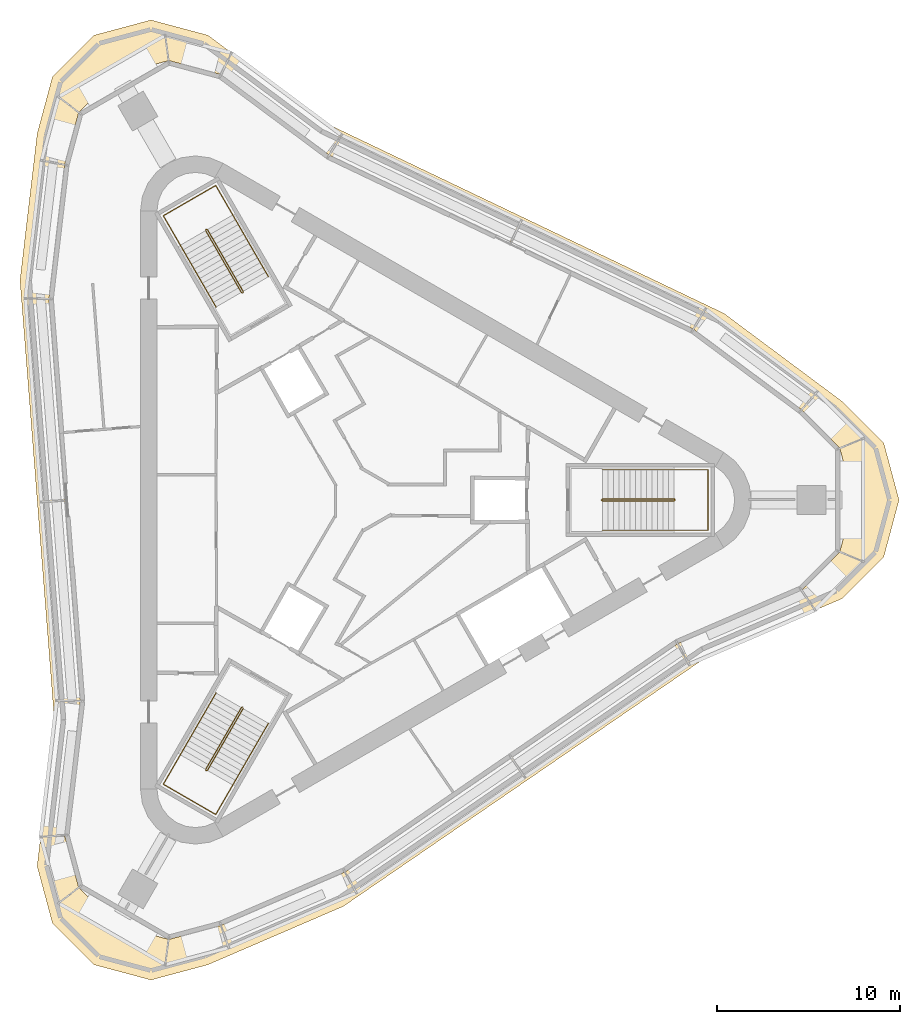
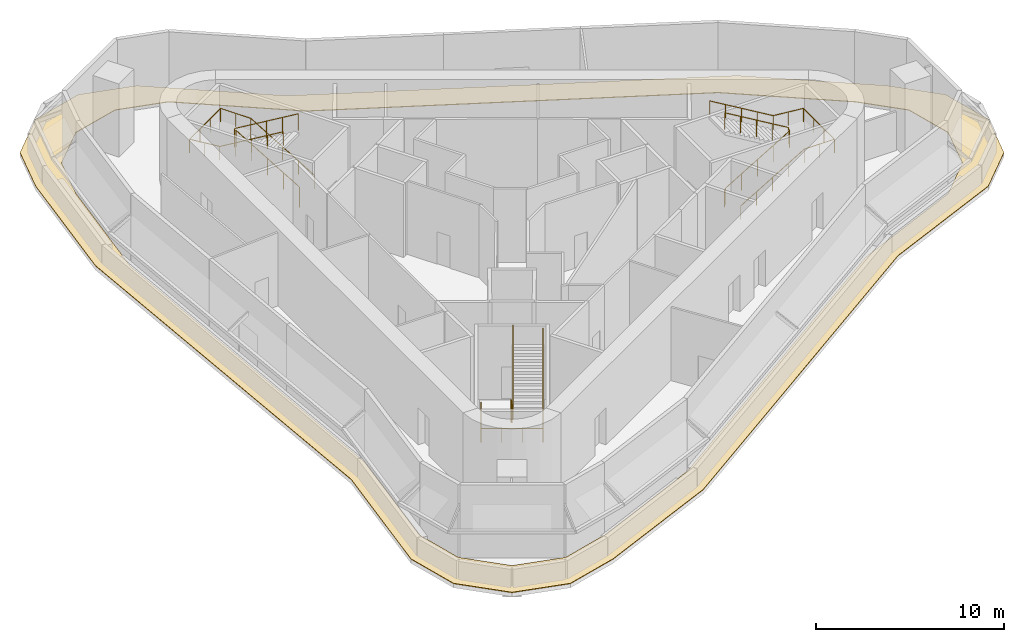
# One storey, part 7 of 7: 6 railings, 1 covering.
"""IFC4 building model written with IfcOpenShell, lengths in metres."""

from ifc_helpers import new_model, si_unit, direction, frame, origin, origin_2d, place, context, subcontext, project, spatial, polyline, circle, outline, extrude, material, layer, layer_set, type_object, element, save


model = new_model("IFC4")

# Units and contexts
model_context = context("Model", 3, precision=1e-05, world=origin(), true_north=direction((0.0, 1.0)))
body_context = subcontext(model_context, "Body", "Model", "MODEL_VIEW")
ifc_project = project(units=[si_unit("LENGTHUNIT", "METRE"), si_unit("AREAUNIT", "SQUARE_METRE"), si_unit("VOLUMEUNIT", "CUBIC_METRE"), si_unit("PLANEANGLEUNIT", "RADIAN"), si_unit("MASSUNIT", "GRAM", prefix="KILO")], contexts=[model_context])

# Site, building, storey
site_placement = place(None, origin())
site = spatial("IfcSite", under=ifc_project, at=site_placement, CompositionType="ELEMENT")
building_placement = place(site_placement, origin())
building = spatial("IfcBuilding", under=site, at=building_placement, Name="Tanit Gate Tower", CompositionType="ELEMENT")
storey_placement = place(building_placement, frame((0.0, 0.0, 420.300048828125)))
storey = spatial("IfcBuildingStorey", under=building, at=storey_placement, Name="L95", CompositionType="ELEMENT", Elevation=420.300048828125)

# Railings
ifc_material_1 = material(Name="Stainless steel balustrade", Category="steel")
railing_type_1 = type_object("IfcRailingType", Name="INT-STAIR-GUARD", PredefinedType="GUARDRAIL", material=ifc_material_1)
railing_1_placement = place(storey_placement, frame((13.044921875, 0.0048828125, 0.0)))
element("IfcRailing", 1, at=railing_1_placement, inside=storey, type_object=railing_type_1, Name="L95 S1 stair guard 1", PredefinedType="GUARDRAIL", context=body_context, shape_type="SweptSolid", body=[
    extrude(circle(Radius=0.02392578125, at=origin_2d()), frame((0.0, 0.0, 1.076171875), z_axis=(0.0, -1.0, 0.0), x_axis=(1.0, 0.0, 0.0)), (0.0, 0.0, 1.0), 0.009765625),
    extrude(circle(Radius=0.02392578125, at=origin_2d()), frame((0.0, -0.009765625, 1.076171875), z_axis=(0.260684529273, -0.260684529273, 0.929562882432), x_axis=(0.707106781187, 0.707106781187, 0.0)), (0.0, 0.0, 1.0), 0.19189453125),
    extrude(circle(Radius=0.02392578125, at=origin_2d()), frame((0.050048828125, -0.059814453125, 1.25439453125), z_axis=(0.859291195736, 0.0, 0.511486696729), x_axis=(0.0, 1.0, 0.0)), (0.0, 0.0, 1.0), 4.538818359375),
    extrude(circle(Radius=0.02392578125, at=origin_2d()), frame((3.9501953125, -0.059814453125, 3.576171875), z_axis=(0.705375805398, 0.708833529934, 0.0), x_axis=(-0.708833529934, 0.705375805398, 0.0)), (0.0, 0.0, 1.0), 0.070556640625),
    extrude(circle(Radius=0.02392578125, at=origin_2d()), frame((4.0, -0.009765625, 3.576171875), z_axis=(0.0, 1.0, 0.0), x_axis=(-1.0, 0.0, 0.0)), (0.0, 0.0, 1.0), 0.009765625),
    extrude(circle(Radius=0.02392578125, at=origin_2d()), frame((4.0, 0.0, 3.576171875), z_axis=(-0.25949872427, 0.26077077684, 0.929870428634), x_axis=(-0.708833529934, -0.705375805398, 0.0)), (0.0, 0.0, 1.0), 0.19189453125),
    extrude(circle(Radius=0.02392578125, at=origin_2d()), frame((3.9501953125, 0.050048828125, 3.75439453125), z_axis=(-0.859291195736, 0.0, 0.511486696729), x_axis=(0.0, -1.0, 0.0)), (0.0, 0.0, 1.0), 4.538818359375),
    extrude(circle(Radius=0.02099609375, at=origin_2d()), origin(), (0.0, 0.0, 1.0), 1.052001953125),
    extrude(circle(Radius=0.02099609375, at=origin_2d()), frame((0.0, -0.009765625, 0.0)), (0.0, 0.0, 1.0), 1.052001953125),
    extrude(circle(Radius=0.02099609375, at=origin_2d()), frame((0.050048828125, -0.059814453125, 0.178466796875)), (0.0, 0.0, 1.0), 1.052001953125),
    extrude(circle(Radius=0.02099609375, at=origin_2d()), frame((1.025146484375, -0.059814453125, 0.7587890625)), (0.0, 0.0, 1.0), 1.052001953125),
    extrude(circle(Radius=0.02099609375, at=origin_2d()), frame((2.0, -0.059814453125, 1.33935546875)), (0.0, 0.0, 1.0), 1.052001953125),
    extrude(circle(Radius=0.02099609375, at=origin_2d()), frame((2.97509765625, -0.059814453125, 1.919677734375)), (0.0, 0.0, 1.0), 1.052001953125),
    extrude(circle(Radius=0.02099609375, at=origin_2d()), frame((3.9501953125, -0.059814453125, 2.5)), (0.0, 0.0, 1.0), 1.052001953125),
    extrude(circle(Radius=0.02099609375, at=origin_2d()), frame((4.0, -0.009765625, 2.5)), (0.0, 0.0, 1.0), 1.052001953125),
    extrude(circle(Radius=0.02099609375, at=origin_2d()), frame((4.0, 0.0, 2.5)), (0.0, 0.0, 1.0), 1.052001953125),
    extrude(circle(Radius=0.02099609375, at=origin_2d()), frame((3.9501953125, 0.050048828125, 2.678466796875)), (0.0, 0.0, 1.0), 1.052001953125),
    extrude(circle(Radius=0.02099609375, at=origin_2d()), frame((2.97509765625, 0.050048828125, 3.2587890625)), (0.0, 0.0, 1.0), 1.052001953125),
    extrude(circle(Radius=0.02099609375, at=origin_2d()), frame((2.0, 0.050048828125, 3.83935546875)), (0.0, 0.0, 1.0), 1.052001953125),
    extrude(circle(Radius=0.02099609375, at=origin_2d()), frame((1.025146484375, 0.050048828125, 4.419677734375)), (0.0, 0.0, 1.0), 1.052001953125),
    extrude(circle(Radius=0.02099609375, at=origin_2d()), frame((0.050048828125, 0.050048828125, 5.0)), (0.0, 0.0, 1.0), 1.052001953125),
])
railing_2_placement = place(storey_placement, frame((-6.527099609375, 11.29345703125, 0.0)))
element("IfcRailing", 2, at=railing_2_placement, inside=storey, type_object=railing_type_1, Name="L95 S2 stair guard 1", PredefinedType="GUARDRAIL", context=body_context, shape_type="SweptSolid", body=[
    extrude(circle(Radius=0.02392578125, at=origin_2d()), frame((0.0, 0.0, 1.076171875), z_axis=(0.868243142124, 0.496138938357, 0.0), x_axis=(-0.496138938357, 0.868243142124, 0.0)), (0.0, 0.0, 1.0), 0.01171875),
    extrude(circle(Radius=0.02392578125, at=origin_2d()), frame((0.01025390625, 0.005859375, 1.076171875), z_axis=(0.095374316588, 0.356064115262, 0.929581672344), x_axis=(-0.965948051503, 0.258736085224, 0.0)), (0.0, 0.0, 1.0), 0.19189453125),
    extrude(circle(Radius=0.02392578125, at=origin_2d()), frame((0.028564453125, 0.07421875, 1.25439453125), z_axis=(-0.429636665928, 0.744158462057, 0.511508082673), x_axis=(-0.866027128446, -0.499997012787, 0.0)), (0.0, 0.0, 1.0), 4.53857421875),
    extrude(circle(Radius=0.02392578125, at=origin_2d()), frame((-1.92138671875, 3.45166015625, 3.576171875), z_axis=(-0.965948051503, 0.258736085224, 0.0), x_axis=(-0.258736085224, -0.965948051503, 0.0)), (0.0, 0.0, 1.0), 0.07080078125),
    extrude(circle(Radius=0.02392578125, at=origin_2d()), frame((-1.98974609375, 3.469970703125, 3.576171875), z_axis=(-0.868243142124, -0.496138938357, 0.0), x_axis=(0.496138938357, -0.868243142124, 0.0)), (0.0, 0.0, 1.0), 0.01171875),
    extrude(circle(Radius=0.02392578125, at=origin_2d()), frame((-2.0, 3.464111328125, 3.576171875), z_axis=(-0.095374316588, -0.356064115262, 0.929581672344), x_axis=(0.965948051503, -0.258736085224, 0.0)), (0.0, 0.0, 1.0), 0.19189453125),
    extrude(circle(Radius=0.02392578125, at=origin_2d()), frame((-2.018310546875, 3.395751953125, 3.75439453125), z_axis=(0.429636665928, -0.744158462057, 0.511508082673), x_axis=(0.866027128446, 0.499997012787, 0.0)), (0.0, 0.0, 1.0), 4.53857421875),
    extrude(circle(Radius=0.02099609375, at=origin_2d()), origin(), (0.0, 0.0, 1.0), 1.052001953125),
    extrude(circle(Radius=0.02099609375, at=origin_2d()), frame((0.01025390625, 0.005859375, 0.0)), (0.0, 0.0, 1.0), 1.052001953125),
    extrude(circle(Radius=0.02099609375, at=origin_2d()), frame((0.028564453125, 0.07421875, 0.178466796875)), (0.0, 0.0, 1.0), 1.052001953125),
    extrude(circle(Radius=0.02099609375, at=origin_2d()), frame((-0.458984375, 0.91845703125, 0.7587890625)), (0.0, 0.0, 1.0), 1.052001953125),
    extrude(circle(Radius=0.02099609375, at=origin_2d()), frame((-0.9462890625, 1.762939453125, 1.33935546875)), (0.0, 0.0, 1.0), 1.052001953125),
    extrude(circle(Radius=0.02099609375, at=origin_2d()), frame((-1.433837890625, 2.607421875, 1.919677734375)), (0.0, 0.0, 1.0), 1.052001953125),
    extrude(circle(Radius=0.02099609375, at=origin_2d()), frame((-1.92138671875, 3.45166015625, 2.5)), (0.0, 0.0, 1.0), 1.052001953125),
    extrude(circle(Radius=0.02099609375, at=origin_2d()), frame((-1.98974609375, 3.469970703125, 2.5)), (0.0, 0.0, 1.0), 1.052001953125),
    extrude(circle(Radius=0.02099609375, at=origin_2d()), frame((-2.0, 3.464111328125, 2.5)), (0.0, 0.0, 1.0), 1.052001953125),
    extrude(circle(Radius=0.02099609375, at=origin_2d()), frame((-2.018310546875, 3.395751953125, 2.678466796875)), (0.0, 0.0, 1.0), 1.052001953125),
    extrude(circle(Radius=0.02099609375, at=origin_2d()), frame((-1.53076171875, 2.55126953125, 3.2587890625)), (0.0, 0.0, 1.0), 1.052001953125),
    extrude(circle(Radius=0.02099609375, at=origin_2d()), frame((-1.04345703125, 1.70703125, 3.83935546875)), (0.0, 0.0, 1.0), 1.052001953125),
    extrude(circle(Radius=0.02099609375, at=origin_2d()), frame((-0.555908203125, 0.86279296875, 4.419677734375)), (0.0, 0.0, 1.0), 1.052001953125),
    extrude(circle(Radius=0.02099609375, at=origin_2d()), frame((-0.068359375, 0.018310546875, 5.0)), (0.0, 0.0, 1.0), 1.052001953125),
])
railing_3_placement = place(storey_placement, frame((-6.51806640625, -11.2998046875, 0.0)))
element("IfcRailing", 3, at=railing_3_placement, inside=storey, type_object=railing_type_1, Name="L95 S3 stair guard 1", PredefinedType="GUARDRAIL", context=body_context, shape_type="SweptSolid", body=[
    extrude(circle(Radius=0.02392578125, at=origin_2d()), frame((0.0, 0.0, 1.076171875), z_axis=(-0.874157276122, 0.485642931179, 0.0), x_axis=(-0.485642931179, -0.874157276122, 0.0)), (0.0, 0.0, 1.0), 0.010009765625),
    extrude(circle(Radius=0.02392578125, at=origin_2d()), frame((-0.0087890625, 0.0048828125, 1.076171875), z_axis=(-0.356107019809, -0.094113998092, 0.929693683858), x_axis=(0.255512919477, -0.966805641264, 0.0)), (0.0, 0.0, 1.0), 0.19189453125),
    extrude(circle(Radius=0.02392578125, at=origin_2d()), frame((-0.0771484375, -0.01318359375, 1.25439453125), z_axis=(-0.429619468083, -0.74418246412, 0.511487607612), x_axis=(0.866042777325, -0.499969906938, 0.0)), (0.0, 0.0, 1.0), 4.538818359375),
    extrude(circle(Radius=0.02392578125, at=origin_2d()), frame((-2.027099609375, -3.390869140625, 3.576171875), z_axis=(0.259601060869, -0.965715946433, 0.0), x_axis=(0.965715946433, 0.259601060869, 0.0)), (0.0, 0.0, 1.0), 0.070556640625),
    extrude(circle(Radius=0.02392578125, at=origin_2d()), frame((-2.0087890625, -3.458984375, 3.576171875), z_axis=(0.863778900898, -0.503871025524, 0.0), x_axis=(0.503871025524, 0.863778900898, 0.0)), (0.0, 0.0, 1.0), 0.01025390625),
    extrude(circle(Radius=0.02392578125, at=origin_2d()), frame((-2.0, -3.464111328125, 3.576171875), z_axis=(0.354952926692, 0.095417453412, 0.930002112587), x_axis=(-0.259601060869, 0.965715946433, 0.0)), (0.0, 0.0, 1.0), 0.19189453125),
    extrude(circle(Radius=0.02392578125, at=origin_2d()), frame((-1.931884765625, -3.44580078125, 3.75439453125), z_axis=(0.429680527064, 0.74414126332, 0.511496260873), x_axis=(-0.866000020948, 0.500043961785, 0.0)), (0.0, 0.0, 1.0), 4.538818359375),
    extrude(circle(Radius=0.02099609375, at=origin_2d()), origin(), (0.0, 0.0, 1.0), 1.052001953125),
    extrude(circle(Radius=0.02099609375, at=origin_2d()), frame((-0.0087890625, 0.0048828125, 0.0)), (0.0, 0.0, 1.0), 1.052001953125),
    extrude(circle(Radius=0.02099609375, at=origin_2d()), frame((-0.0771484375, -0.01318359375, 0.178466796875)), (0.0, 0.0, 1.0), 1.052001953125),
    extrude(circle(Radius=0.02099609375, at=origin_2d()), frame((-0.564697265625, -0.857666015625, 0.7587890625)), (0.0, 0.0, 1.0), 1.052001953125),
    extrude(circle(Radius=0.02099609375, at=origin_2d()), frame((-1.05224609375, -1.7021484375, 1.33935546875)), (0.0, 0.0, 1.0), 1.052001953125),
    extrude(circle(Radius=0.02099609375, at=origin_2d()), frame((-1.53955078125, -2.54638671875, 1.919677734375)), (0.0, 0.0, 1.0), 1.052001953125),
    extrude(circle(Radius=0.02099609375, at=origin_2d()), frame((-2.027099609375, -3.390869140625, 2.5)), (0.0, 0.0, 1.0), 1.052001953125),
    extrude(circle(Radius=0.02099609375, at=origin_2d()), frame((-2.0087890625, -3.458984375, 2.5)), (0.0, 0.0, 1.0), 1.052001953125),
    extrude(circle(Radius=0.02099609375, at=origin_2d()), frame((-2.0, -3.464111328125, 2.5)), (0.0, 0.0, 1.0), 1.052001953125),
    extrude(circle(Radius=0.02099609375, at=origin_2d()), frame((-1.931884765625, -3.44580078125, 2.678466796875)), (0.0, 0.0, 1.0), 1.052001953125),
    extrude(circle(Radius=0.02099609375, at=origin_2d()), frame((-1.4443359375, -2.6015625, 3.2587890625)), (0.0, 0.0, 1.0), 1.052001953125),
    extrude(circle(Radius=0.02099609375, at=origin_2d()), frame((-0.956787109375, -1.757080078125, 3.83935546875)), (0.0, 0.0, 1.0), 1.052001953125),
    extrude(circle(Radius=0.02099609375, at=origin_2d()), frame((-0.46923828125, -0.91259765625, 4.419677734375)), (0.0, 0.0, 1.0), 1.052001953125),
    extrude(circle(Radius=0.02099609375, at=origin_2d()), frame((0.018310546875, -0.068359375, 5.0)), (0.0, 0.0, 1.0), 1.052001953125),
])
ifc_material_2 = material(Name="Stainless steel handrail", Category="steel")
railing_type_2 = type_object("IfcRailingType", Name="INT-STAIR-HANDRAIL", PredefinedType="HANDRAIL", material=ifc_material_2)
railing_4_placement = place(storey_placement, frame((13.094970703125, -1.64990234375, 0.178466796875)))
element("IfcRailing", 4, at=railing_4_placement, inside=storey, type_object=railing_type_2, Name="L95 S1 stair handrail 1", PredefinedType="HANDRAIL", context=body_context, shape_type="SweptSolid", body=[
    extrude(circle(Radius=0.02392578125, at=origin_2d()), frame((0.0, 0.0, 0.8759765625), z_axis=(0.859291195736, 0.0, 0.511486696729), x_axis=(0.0, 1.0, 0.0)), (0.0, 0.0, 1.0), 4.538818359375),
    extrude(circle(Radius=0.02392578125, at=origin_2d()), frame((3.900146484375, 0.0, 3.197265625), z_axis=(1.0, 0.0, 0.0), x_axis=(0.0, 1.0, 0.0)), (0.0, 0.0, 1.0), 1.85498046875),
    extrude(circle(Radius=0.02392578125, at=origin_2d()), frame((5.755126953125, 0.0, 3.197265625), z_axis=(0.0, 1.0, 0.0), x_axis=(-1.0, 0.0, 0.0)), (0.0, 0.0, 1.0), 3.2998046875),
    extrude(circle(Radius=0.02392578125, at=origin_2d()), frame((5.755126953125, 3.2998046875, 3.197265625), z_axis=(-0.995403746914, 0.0, 0.09576732548), x_axis=(0.0, -1.0, 0.0)), (0.0, 0.0, 1.0), 1.863525390625),
    extrude(circle(Radius=0.02392578125, at=origin_2d()), frame((3.900146484375, 3.2998046875, 3.3759765625), z_axis=(-0.859291195736, 0.0, 0.511486696729), x_axis=(0.0, -1.0, 0.0)), (0.0, 0.0, 1.0), 4.538818359375),
    extrude(circle(Radius=0.02099609375, at=origin_2d()), origin(), (0.0, 0.0, 1.0), 0.851806640625),
    extrude(circle(Radius=0.02099609375, at=origin_2d()), frame((0.97509765625, 0.0, 0.580322265625)), (0.0, 0.0, 1.0), 0.851806640625),
    extrude(circle(Radius=0.02099609375, at=origin_2d()), frame((1.9501953125, 0.0, 1.16064453125)), (0.0, 0.0, 1.0), 0.851806640625),
    extrude(circle(Radius=0.02099609375, at=origin_2d()), frame((2.925048828125, 0.0, 1.7412109375)), (0.0, 0.0, 1.0), 0.851806640625),
    extrude(circle(Radius=0.02099609375, at=origin_2d()), frame((3.900146484375, 0.0, 2.321533203125)), (0.0, 0.0, 1.0), 0.851806640625),
    extrude(circle(Radius=0.02099609375, at=origin_2d()), frame((4.82763671875, 0.0, 2.321533203125)), (0.0, 0.0, 1.0), 0.851806640625),
    extrude(circle(Radius=0.02099609375, at=origin_2d()), frame((5.755126953125, 0.0, 2.321533203125)), (0.0, 0.0, 1.0), 0.851806640625),
    extrude(circle(Radius=0.02099609375, at=origin_2d()), frame((5.755126953125, 1.099853515625, 2.321533203125)), (0.0, 0.0, 1.0), 0.851806640625),
    extrude(circle(Radius=0.02099609375, at=origin_2d()), frame((5.755126953125, 2.199951171875, 2.321533203125)), (0.0, 0.0, 1.0), 0.851806640625),
    extrude(circle(Radius=0.02099609375, at=origin_2d()), frame((5.755126953125, 3.2998046875, 2.321533203125)), (0.0, 0.0, 1.0), 0.851806640625),
    extrude(circle(Radius=0.02099609375, at=origin_2d()), frame((4.82763671875, 3.2998046875, 2.41064453125)), (0.0, 0.0, 1.0), 0.851806640625),
    extrude(circle(Radius=0.02099609375, at=origin_2d()), frame((3.900146484375, 3.2998046875, 2.5)), (0.0, 0.0, 1.0), 0.851806640625),
    extrude(circle(Radius=0.02099609375, at=origin_2d()), frame((2.925048828125, 3.2998046875, 3.080322265625)), (0.0, 0.0, 1.0), 0.851806640625),
    extrude(circle(Radius=0.02099609375, at=origin_2d()), frame((1.9501953125, 3.2998046875, 3.66064453125)), (0.0, 0.0, 1.0), 0.851806640625),
    extrude(circle(Radius=0.02099609375, at=origin_2d()), frame((0.97509765625, 3.2998046875, 4.2412109375)), (0.0, 0.0, 1.0), 0.851806640625),
    extrude(circle(Radius=0.02099609375, at=origin_2d()), frame((0.0, 3.2998046875, 4.821533203125)), (0.0, 0.0, 1.0), 0.851806640625),
])
railing_5_placement = place(storey_placement, frame((-5.1181640625, 12.164794921875, 0.178466796875)))
element("IfcRailing", 5, at=railing_5_placement, inside=storey, type_object=railing_type_2, Name="L95 S2 stair handrail 1", PredefinedType="HANDRAIL", context=body_context, shape_type="SweptSolid", body=[
    extrude(circle(Radius=0.02392578125, at=origin_2d()), frame((0.0, 0.0, 0.8759765625), z_axis=(-0.429636665928, 0.744158462057, 0.511508082673), x_axis=(-0.866027128446, -0.499997012787, 0.0)), (0.0, 0.0, 1.0), 4.53857421875),
    extrude(circle(Radius=0.02392578125, at=origin_2d()), frame((-1.949951171875, 3.37744140625, 3.197265625), z_axis=(-0.499972951856, 0.866041019474, 0.0), x_axis=(-0.866041019474, -0.499972951856, 0.0)), (0.0, 0.0, 1.0), 1.85595703125),
    extrude(circle(Radius=0.02392578125, at=origin_2d()), frame((-2.8779296875, 4.98486328125, 3.197265625), z_axis=(-0.866008176907, -0.50002983664, 0.0), x_axis=(0.50002983664, -0.866008176907, 0.0)), (0.0, 0.0, 1.0), 3.300048828125),
    extrude(circle(Radius=0.02392578125, at=origin_2d()), frame((-5.73583984375, 3.334716796875, 3.197265625), z_axis=(0.497733776972, -0.862031426942, 0.095723070499), x_axis=(0.866008133109, 0.500029912494, 0.0)), (0.0, 0.0, 1.0), 1.864501953125),
    extrude(circle(Radius=0.02392578125, at=origin_2d()), frame((-4.807861328125, 1.7275390625, 3.3759765625), z_axis=(0.429663328258, -0.744165266205, 0.511475787231), x_axis=(0.866015672276, 0.500016855088, 0.0)), (0.0, 0.0, 1.0), 4.538818359375),
    extrude(circle(Radius=0.02099609375, at=origin_2d()), origin(), (0.0, 0.0, 1.0), 0.851806640625),
    extrude(circle(Radius=0.02099609375, at=origin_2d()), frame((-0.487548828125, 0.84423828125, 0.580322265625)), (0.0, 0.0, 1.0), 0.851806640625),
    extrude(circle(Radius=0.02099609375, at=origin_2d()), frame((-0.97509765625, 1.688720703125, 1.16064453125)), (0.0, 0.0, 1.0), 0.851806640625),
    extrude(circle(Radius=0.02099609375, at=origin_2d()), frame((-1.46240234375, 2.533203125, 1.7412109375)), (0.0, 0.0, 1.0), 0.851806640625),
    extrude(circle(Radius=0.02099609375, at=origin_2d()), frame((-1.949951171875, 3.37744140625, 2.321533203125)), (0.0, 0.0, 1.0), 0.851806640625),
    extrude(circle(Radius=0.02099609375, at=origin_2d()), frame((-2.4140625, 4.18115234375, 2.321533203125)), (0.0, 0.0, 1.0), 0.851806640625),
    extrude(circle(Radius=0.02099609375, at=origin_2d()), frame((-2.8779296875, 4.98486328125, 2.321533203125)), (0.0, 0.0, 1.0), 0.851806640625),
    extrude(circle(Radius=0.02099609375, at=origin_2d()), frame((-3.83056640625, 4.434814453125, 2.321533203125)), (0.0, 0.0, 1.0), 0.851806640625),
    extrude(circle(Radius=0.02099609375, at=origin_2d()), frame((-4.783203125, 3.884765625, 2.321533203125)), (0.0, 0.0, 1.0), 0.851806640625),
    extrude(circle(Radius=0.02099609375, at=origin_2d()), frame((-5.73583984375, 3.334716796875, 2.321533203125)), (0.0, 0.0, 1.0), 0.851806640625),
    extrude(circle(Radius=0.02099609375, at=origin_2d()), frame((-5.27197265625, 2.53125, 2.41064453125)), (0.0, 0.0, 1.0), 0.851806640625),
    extrude(circle(Radius=0.02099609375, at=origin_2d()), frame((-4.807861328125, 1.7275390625, 2.5)), (0.0, 0.0, 1.0), 0.851806640625),
    extrude(circle(Radius=0.02099609375, at=origin_2d()), frame((-4.3203125, 0.883056640625, 3.080322265625)), (0.0, 0.0, 1.0), 0.851806640625),
    extrude(circle(Radius=0.02099609375, at=origin_2d()), frame((-3.832763671875, 0.03857421875, 3.66064453125)), (0.0, 0.0, 1.0), 0.851806640625),
    extrude(circle(Radius=0.02099609375, at=origin_2d()), frame((-3.34521484375, -0.8056640625, 4.2412109375)), (0.0, 0.0, 1.0), 0.851806640625),
    extrude(circle(Radius=0.02099609375, at=origin_2d()), frame((-2.857666015625, -1.650146484375, 4.821533203125)), (0.0, 0.0, 1.0), 0.851806640625),
])
railing_6_placement = place(storey_placement, frame((-7.9765625, -10.515625, 0.178466796875)))
element("IfcRailing", 6, at=railing_6_placement, inside=storey, type_object=railing_type_2, Name="L95 S3 stair handrail 1", PredefinedType="HANDRAIL", context=body_context, shape_type="SweptSolid", body=[
    extrude(circle(Radius=0.02392578125, at=origin_2d()), frame((0.0, 0.0, 0.8759765625), z_axis=(-0.429636665928, -0.744158462057, 0.511508082673), x_axis=(0.866027128446, -0.499997012787, 0.0)), (0.0, 0.0, 1.0), 4.53857421875),
    extrude(circle(Radius=0.02392578125, at=origin_2d()), frame((-1.949951171875, -3.37744140625, 3.197265625), z_axis=(-0.500003477455, -0.866023396066, 0.0), x_axis=(0.866023396066, -0.500003477455, 0.0)), (0.0, 0.0, 1.0), 1.85498046875),
    extrude(circle(Radius=0.02392578125, at=origin_2d()), frame((-2.87744140625, -4.98388671875, 3.197265625), z_axis=(0.866008176907, -0.50002983664, 0.0), x_axis=(0.50002983664, 0.866008176907, 0.0)), (0.0, 0.0, 1.0), 3.300048828125),
    extrude(circle(Radius=0.02392578125, at=origin_2d()), frame((-0.01953125, -6.634033203125, 3.197265625), z_axis=(0.497705303182, 0.862042878372, 0.095767985424), x_axis=(-0.866023396066, 0.500003477455, 0.0)), (0.0, 0.0, 1.0), 1.863525390625),
    extrude(circle(Radius=0.02392578125, at=origin_2d()), frame((0.907958984375, -5.027587890625, 3.3759765625), z_axis=(0.429619468083, 0.74418246412, 0.511487607612), x_axis=(-0.866042777325, 0.499969906938, 0.0)), (0.0, 0.0, 1.0), 4.538818359375),
    extrude(circle(Radius=0.02099609375, at=origin_2d()), origin(), (0.0, 0.0, 1.0), 0.851806640625),
    extrude(circle(Radius=0.02099609375, at=origin_2d()), frame((-0.487548828125, -0.84423828125, 0.580322265625)), (0.0, 0.0, 1.0), 0.851806640625),
    extrude(circle(Radius=0.02099609375, at=origin_2d()), frame((-0.97509765625, -1.688720703125, 1.16064453125)), (0.0, 0.0, 1.0), 0.851806640625),
    extrude(circle(Radius=0.02099609375, at=origin_2d()), frame((-1.46240234375, -2.533203125, 1.7412109375)), (0.0, 0.0, 1.0), 0.851806640625),
    extrude(circle(Radius=0.02099609375, at=origin_2d()), frame((-1.949951171875, -3.37744140625, 2.321533203125)), (0.0, 0.0, 1.0), 0.851806640625),
    extrude(circle(Radius=0.02099609375, at=origin_2d()), frame((-2.41357421875, -4.1806640625, 2.321533203125)), (0.0, 0.0, 1.0), 0.851806640625),
    extrude(circle(Radius=0.02099609375, at=origin_2d()), frame((-2.87744140625, -4.98388671875, 2.321533203125)), (0.0, 0.0, 1.0), 0.851806640625),
    extrude(circle(Radius=0.02099609375, at=origin_2d()), frame((-1.9248046875, -5.533935546875, 2.321533203125)), (0.0, 0.0, 1.0), 0.851806640625),
    extrude(circle(Radius=0.02099609375, at=origin_2d()), frame((-0.97216796875, -6.083984375, 2.321533203125)), (0.0, 0.0, 1.0), 0.851806640625),
    extrude(circle(Radius=0.02099609375, at=origin_2d()), frame((-0.01953125, -6.634033203125, 2.321533203125)), (0.0, 0.0, 1.0), 0.851806640625),
    extrude(circle(Radius=0.02099609375, at=origin_2d()), frame((0.4443359375, -5.830810546875, 2.41064453125)), (0.0, 0.0, 1.0), 0.851806640625),
    extrude(circle(Radius=0.02099609375, at=origin_2d()), frame((0.907958984375, -5.027587890625, 2.5)), (0.0, 0.0, 1.0), 0.851806640625),
    extrude(circle(Radius=0.02099609375, at=origin_2d()), frame((1.3955078125, -4.18310546875, 3.080322265625)), (0.0, 0.0, 1.0), 0.851806640625),
    extrude(circle(Radius=0.02099609375, at=origin_2d()), frame((1.8828125, -3.3388671875, 3.66064453125)), (0.0, 0.0, 1.0), 0.851806640625),
    extrude(circle(Radius=0.02099609375, at=origin_2d()), frame((2.370361328125, -2.494384765625, 4.2412109375)), (0.0, 0.0, 1.0), 0.851806640625),
    extrude(circle(Radius=0.02099609375, at=origin_2d()), frame((2.85791015625, -1.64990234375, 4.821533203125)), (0.0, 0.0, 1.0), 0.851806640625),
])

# Covering
ifc_material_3 = material(Name="Stone paving", Category="masonry")
ifc_layer = layer(ifc_material_3, 0.0400390625)
ifc_layer_set = layer_set([ifc_layer], Name="Terrace deck paving 40")
covering_type = type_object("IfcCoveringType", Name="Terrace deck paving 40", PredefinedType="FLOORING", material=ifc_layer_set)
covering_placement = place(storey_placement, origin())
element("IfcCovering", 7, at=covering_placement, inside=storey, type_object=covering_type, Name="Terrace deck paving L95", PredefinedType="FLOORING", context=body_context, shape_type="SweptSolid", body=[
    extrude(outline(polyline([(28.429443359375, 3.103515625), (29.260986328125, 0.0), (28.429443359375, -3.103515625), (26.15771484375, -5.375244140625), (18.773681640625, -8.558349609375), (-1.039794921875, -22.15771484375), (-8.423583984375, -25.3408203125), (-11.527099609375, -26.17236328125), (-14.630615234375, -25.3408203125), (-16.90234375, -23.06884765625), (-17.73388671875, -19.965576171875), (-16.798583984375, -11.979248046875), (-18.669189453125, 11.979248046875), (-17.73388671875, 19.965576171875), (-16.90234375, 23.06884765625), (-14.630615234375, 25.3408203125), (-11.527099609375, 26.17236328125), (-8.423583984375, 25.3408203125), (-1.97509765625, 20.537841796875), (19.708984375, 10.178466796875), (26.15771484375, 5.375244140625), (28.429443359375, 3.103515625)]), holes=[polyline([(18.0419921875, 9.3173828125), (-1.807861328125, 18.800537109375), (-7.711181640625, 23.197509765625), (-10.552001953125, 23.958740234375), (-13.39306640625, 23.197509765625), (-15.47265625, 21.11767578125), (-16.23388671875, 18.27685546875), (-17.090087890625, 10.966064453125), (-15.377685546875, -10.966064453125), (-16.23388671875, -18.27685546875), (-15.47265625, -21.11767578125), (-13.39306640625, -23.197509765625), (-10.552001953125, -23.958740234375), (-7.711181640625, -23.197509765625), (-0.951904296875, -20.283447265625), (17.185791015625, -7.83447265625), (23.945068359375, -4.920654296875), (26.02490234375, -2.841064453125), (26.7861328125, 0.0), (26.02490234375, 2.841064453125), (23.945068359375, 4.920654296875), (18.0419921875, 9.3173828125)])]), origin(), (0.0, 0.0, 1.0), 0.0400390625),
])

save(model, "model.ifc")
